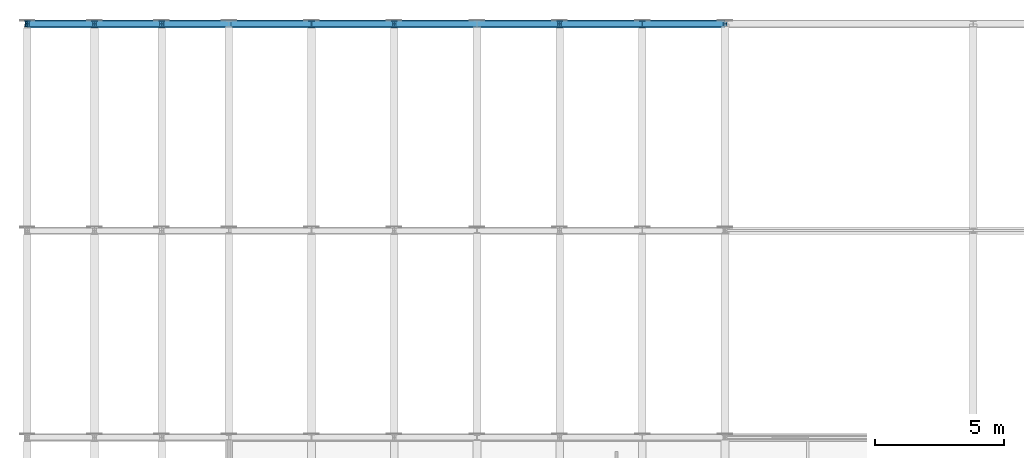
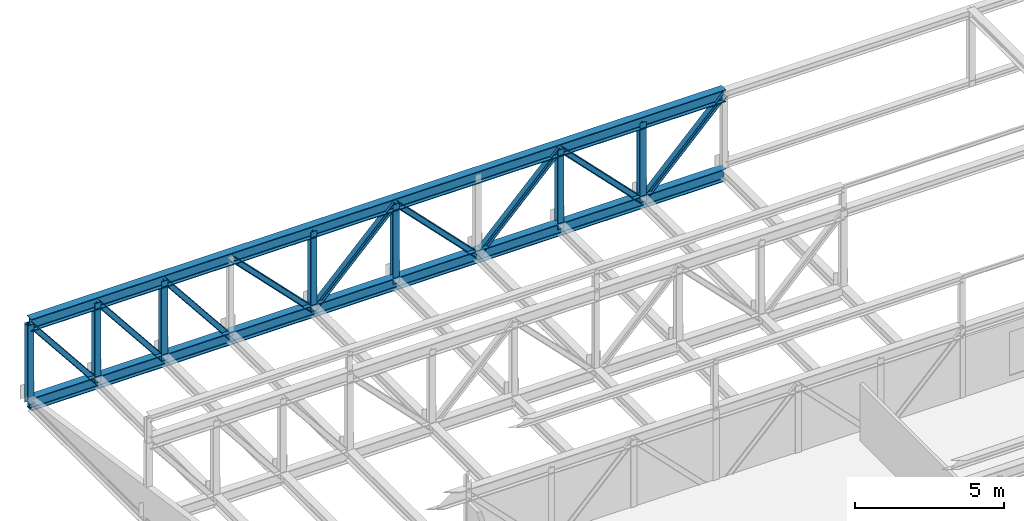
# One storey, part 23 of 34: 16 members, 2 beams.
"""IFC4 building model written with IfcOpenShell, lengths in metres."""

import ifcopenshell
import ifcopenshell.guid

model = None  # the IFC model being written
_history = None  # IfcOwnerHistory: only IFC2X3 demands one
_inside = {}  # id of a spatial element -> (the spatial element, [elements in it])
_under = {}  # id of a project, library or spatial element -> (it, [spatial elements below it])
_declared = {}  # id of a project -> (the project, [libraries it declares])
_typed = {}  # id of a type object -> (the type object, [elements of that type])
_made_of = {}  # id of a material, layer set ... -> (it, [elements and type objects made of it])


def new_model(schema):
    """Start an empty IFC model of exactly this schema.

    Asked for "IFC4X3", IfcOpenShell would pick the latest addendum, in which some entities
    have other attributes; the version numbers below select the first issue.
    IFC2X3 requires an IfcOwnerHistory on every rooted entity: one is made here for all.
    """
    global model, _history
    if schema == "IFC4X3":
        model = ifcopenshell.file(schema_version=(4, 3, 0, 0))
    else:
        model = ifcopenshell.file(schema=schema)
    _inside.clear()
    _under.clear()
    _declared.clear()
    _typed.clear()
    _made_of.clear()
    _history = None
    if model.schema == "IFC2X3":
        org = make("IfcOrganization", Name="unknown")
        user = make(
            "IfcPersonAndOrganization",
            ThePerson=make("IfcPerson", FamilyName="unknown"),
            TheOrganization=org,
        )
        app = make(
            "IfcApplication",
            ApplicationDeveloper=org,
            Version="unknown",
            ApplicationFullName="unknown",
            ApplicationIdentifier="unknown",
        )
        _history = make(
            "IfcOwnerHistory",
            OwningUser=user,
            OwningApplication=app,
            ChangeAction="ADDED",
            CreationDate=0,
        )
    return model


def make(cls, **values):
    """One entity of the class cls with the attributes given. An attribute that is None is left unset."""
    return model.create_entity(
        cls, **{name: value for name, value in values.items() if value is not None}
    )


def rooted(cls, **values):
    """An entity with a GlobalId (a new one), such as an element, a storey or a relation."""
    return make(cls, GlobalId=ifcopenshell.guid.new(), OwnerHistory=_history, **values)


def si_unit(unit_type, name, prefix=None):
    """IfcSIUnit, for example si_unit("LENGTHUNIT", "METRE", prefix="MILLI")."""
    return make("IfcSIUnit", UnitType=unit_type, Prefix=prefix, Name=name)


def assignment(units):
    """IfcUnitAssignment: the units of a project."""
    return None if units is None else make("IfcUnitAssignment", Units=units)


def point(xyz):
    """IfcCartesianPoint."""
    return None if xyz is None else make("IfcCartesianPoint", Coordinates=xyz)


def direction(xyz):
    """IfcDirection."""
    return None if xyz is None else make("IfcDirection", DirectionRatios=xyz)


def frame(location, z_axis=None, x_axis=None):
    """IfcAxis2Placement3D, a coordinate frame: its origin and axes. An axis left out is left unset."""
    return make(
        "IfcAxis2Placement3D",
        Location=point(location),
        Axis=direction(z_axis),
        RefDirection=direction(x_axis),
    )


def frame_2d(location, x_axis=None):
    """IfcAxis2Placement2D, a coordinate frame in the plane: its origin and x axis."""
    return make(
        "IfcAxis2Placement2D", Location=point(location), RefDirection=direction(x_axis)
    )


def origin():
    """The frame at (0, 0, 0) with its axes left unset."""
    return frame((0.0, 0.0, 0.0))


def origin_2d():
    """The frame at (0, 0) in the plane with its x axis left unset."""
    return frame_2d((0.0, 0.0))


def place(relative_to, where):
    """IfcLocalPlacement: puts the frame where relative to a parent placement (None: the world)."""
    return make(
        "IfcLocalPlacement", PlacementRelTo=relative_to, RelativePlacement=where
    )


def context(
    kind, dimensions, precision=None, world=None, true_north=None, identifier=None
):
    """IfcGeometricRepresentationContext, for example the 3D "Model" context."""
    return make(
        "IfcGeometricRepresentationContext",
        ContextIdentifier=identifier,
        ContextType=kind,
        CoordinateSpaceDimension=dimensions,
        Precision=precision,
        WorldCoordinateSystem=world,
        TrueNorth=true_north,
    )


def subcontext(parent, identifier, kind, view, scale=None):
    """IfcGeometricRepresentationSubContext, for example "Body" below "Model"."""
    return make(
        "IfcGeometricRepresentationSubContext",
        ContextIdentifier=identifier,
        ContextType=kind,
        ParentContext=parent,
        TargetScale=scale,
        TargetView=view,
    )


def project(units=None, contexts=None):
    """IfcProject with its units and contexts."""
    return rooted(
        "IfcProject",
        Name="project",
        RepresentationContexts=contexts,
        UnitsInContext=assignment(units),
    )


def spatial(cls, under=None, at=None, **own):
    """A site, building, storey or space (cls), placed at a placement, below another one or the project."""
    s = rooted(cls, ObjectPlacement=at, **own)
    if under is not None:
        _under.setdefault(under.id(), (under, []))[1].append(s)
    return s


def profile(cls, at=None, kind="AREA", **sizes):
    """A parametric profile (cls). Its sizes go by their IFC names, for example OverallWidth=200.0."""
    return make(cls, ProfileType=kind, Position=at, **sizes)


def i_section(**sizes):
    """IfcIShapeProfileDef."""
    return profile("IfcIShapeProfileDef", **sizes)


def extrude(swept, where, along, depth):
    """IfcExtrudedAreaSolid: the profile swept, set in the frame where, extruded along a direction by depth."""
    return make(
        "IfcExtrudedAreaSolid",
        SweptArea=swept,
        Position=where,
        ExtrudedDirection=direction(along),
        Depth=depth,
    )


def shape(context_of_items, identifier, shape_type, items):
    """IfcShapeRepresentation: the items that make up one representation, for example the "Body"."""
    return make(
        "IfcShapeRepresentation",
        ContextOfItems=context_of_items,
        RepresentationIdentifier=identifier,
        RepresentationType=shape_type,
        Items=items,
    )


def material(Name=None, Category=None):
    """IfcMaterial."""
    return make("IfcMaterial", Name=Name, Category=Category)


def material_profile(
    of_material, cross_section, Name=None, Category=None, Priority=None
):
    """IfcMaterialProfile: a cross section and its material."""
    return make(
        "IfcMaterialProfile",
        Name=Name,
        Material=of_material,
        Profile=cross_section,
        Priority=Priority,
        Category=Category,
    )


def profile_set(profiles, Name=None, composite=None):
    """IfcMaterialProfileSet."""
    return make(
        "IfcMaterialProfileSet",
        Name=Name,
        MaterialProfiles=profiles,
        CompositeProfile=composite,
    )


def made_of(thing, what):
    """Note that an element or type object is made of a material, layer set ...; save() writes the relation."""
    if what is not None:
        _made_of.setdefault(what.id(), (what, []))[1].append(thing)
    return thing


def type_object(cls, material=None, **own):
    """A type object (cls), such as IfcWallType, which elements share."""
    return made_of(rooted(cls, **own), material)


def element(
    cls,
    number,
    at=None,
    inside=None,
    cuts=None,
    type_object=None,
    material=None,
    context=None,
    identifier="Body",
    shape_type=None,
    held_by="IfcProductDefinitionShape",
    body=None,
    shapes=None,
    **own,
):
    """One element of the class cls, such as IfcWall. Its Tag is "e" and its number.

    at: its placement. inside: the storey or other place that contains it. cuts: it is an
    opening in that element (IfcRelVoidsElement). A single representation is given by context,
    identifier, shape_type and body (its items); several are given by shapes. held_by: the class
    of the entity that holds the representations. save() writes the other relations.
    """
    e = rooted(cls, Tag="e%d" % number, ObjectPlacement=at, **own)
    if body is not None:
        shapes = [shape(context, identifier, shape_type, body)]
    if shapes is not None:
        e.Representation = make(held_by, Representations=shapes)
    if inside is not None:
        _inside.setdefault(inside.id(), (inside, []))[1].append(e)
    if cuts is not None:
        rooted(
            "IfcRelVoidsElement", RelatingBuildingElement=cuts, RelatedOpeningElement=e
        )
    if type_object is not None:
        _typed.setdefault(type_object.id(), (type_object, []))[1].append(e)
    return made_of(e, material)


def aggregate(whole, parts):
    """IfcRelAggregates: a whole, such as a stair, and the parts it consists of."""
    return rooted("IfcRelAggregates", RelatingObject=whole, RelatedObjects=parts)


def save(model, path):
    """Write the relations noted so far, then the file.

    IfcRelAggregates (storeys below a building ...), IfcRelContainedInSpatialStructure (elements
    in a storey), IfcRelDefinesByType, IfcRelAssociatesMaterial and IfcRelDeclares: one each for
    every whole, place, type object, material and project.
    """
    for whole, parts in _under.values():
        aggregate(whole, parts)
    for where, things in _inside.values():
        rooted(
            "IfcRelContainedInSpatialStructure",
            RelatedElements=things,
            RelatingStructure=where,
        )
    for kind, things in _typed.values():
        rooted("IfcRelDefinesByType", RelatedObjects=things, RelatingType=kind)
    for what, things in _made_of.values():
        rooted("IfcRelAssociatesMaterial", RelatedObjects=things, RelatingMaterial=what)
    for by, libraries in _declared.values():
        rooted("IfcRelDeclares", RelatingContext=by, RelatedDefinitions=libraries)
    model.write(path)


model = new_model("IFC4")

# Units and contexts
model_context = context("Model", 3, precision=1e-05, world=origin(), true_north=direction((0.0, 1.0)))
body_context = subcontext(model_context, "Body", "Model", "MODEL_VIEW")
ifc_project = project(units=[si_unit("LENGTHUNIT", "METRE"), si_unit("AREAUNIT", "SQUARE_METRE"), si_unit("VOLUMEUNIT", "CUBIC_METRE"), si_unit("PLANEANGLEUNIT", "RADIAN"), si_unit("MASSUNIT", "GRAM", prefix="KILO")], contexts=[model_context])

# Site, building, storey
site_placement = place(None, origin())
site = spatial("IfcSite", under=ifc_project, at=site_placement, CompositionType="ELEMENT")
building_placement = place(site_placement, origin())
building = spatial("IfcBuilding", under=site, at=building_placement, Name="Alderhovde Museum", CompositionType="ELEMENT")
storey_placement = place(building_placement, frame((0.0, 0.0, 25.800048828125)))
storey = spatial("IfcBuildingStorey", under=building, at=storey_placement, Name="L05", CompositionType="ELEMENT", Elevation=25.800048828125)

# Beams
ifc_material_1 = material(Name="Steel S355J2", Category="steel")
ifc_material_profile_1 = material_profile(ifc_material_1, i_section(OverallWidth=0.300048828125, OverallDepth=0.5, WebThickness=0.014404296875, FlangeThickness=0.028076171875, FilletRadius=0.027099609375, at=origin_2d()), Name="HEB 500")
ifc_profile_set_1 = profile_set([ifc_material_profile_1], Name="Steel S355J2")
beam_type = type_object("IfcBeamType", Name="BM-HEB500", PredefinedType="BEAM", material=ifc_profile_set_1)
for number, where, z_axis, x_axis, name in (
    (1, (1.800048828125, 112.0, -0.510009765625), (1.0, 0.0, 0.0), (0.0, 1.0, 0.0), "Transfer Truss Y=112 FLR5 Continuous Chord"),
    (2, (1.800048828125, 112.0, 2.75), (1.0, 0.0, 0.0), (0.0, 1.0, 0.0), "Transfer Truss Y=112 TOP Continuous Chord"),
):
    element("IfcBeam", number, at=place(storey_placement, frame(where, z_axis=z_axis, x_axis=x_axis)), inside=storey, type_object=beam_type, Name=name, PredefinedType="BEAM", context=body_context, shape_type="SweptSolid", body=[
        extrude(i_section(OverallWidth=0.300048828125, OverallDepth=0.5, WebThickness=0.014404296875, FlangeThickness=0.028076171875, FilletRadius=0.027099609375, at=origin_2d()), origin(), (0.0, 0.0, 1.0), 27.0),
    ])

# Members
ifc_material_2 = material(Name="Steel S355J2", Category="steel")
ifc_material_profile_2 = material_profile(ifc_material_2, i_section(OverallWidth=0.219970703125, OverallDepth=0.2099609375, WebThickness=0.007080078125, FlangeThickness=0.010986328125, FilletRadius=0.01806640625, at=origin_2d()), Name="HEA 220")
ifc_profile_set_2 = profile_set([ifc_material_profile_2], Name="Steel S355J2")
member_type_1 = type_object("IfcMemberType", Name="TR-DG-HEA220", PredefinedType="RAFTER", material=ifc_profile_set_2)
member_1_placement = place(storey_placement, frame((1.800048828125, 112.0, 2.75), z_axis=(0.623501892836, 0.0, -0.781821840082), x_axis=(0.0, 1.0, 0.0)))
element("IfcMember", 3, at=member_1_placement, inside=storey, type_object=member_type_1, Name="Transfer Truss Y=112 T3 Diagonal 1", PredefinedType="RAFTER", context=body_context, shape_type="SweptSolid", body=[
    extrude(i_section(OverallWidth=0.219970703125, OverallDepth=0.2099609375, WebThickness=0.007080078125, FlangeThickness=0.010986328125, FilletRadius=0.01806640625, at=origin_2d()), origin(), (0.0, 0.0, 1.0), 4.169677734375),
])
for number, where, z_axis, x_axis, name in (
    (4, (4.39990234375, 112.0, 2.75), (0.623537679463, 0.0, -0.781793298955), (0.0, 1.0, 0.0), "Transfer Truss Y=112 T3 Diagonal 2"),
    (5, (7.0, 112.0, 2.75), (0.623537679463, 0.0, -0.781793298955), (0.0, 1.0, 0.0), "Transfer Truss Y=112 T3 Diagonal 3"),
):
    element("IfcMember", number, at=place(storey_placement, frame(where, z_axis=z_axis, x_axis=x_axis)), inside=storey, type_object=member_type_1, Name=name, PredefinedType="RAFTER", context=body_context, shape_type="SweptSolid", body=[
        extrude(i_section(OverallWidth=0.219970703125, OverallDepth=0.2099609375, WebThickness=0.007080078125, FlangeThickness=0.010986328125, FilletRadius=0.01806640625, at=origin_2d()), origin(), (0.0, 0.0, 1.0), 4.169921875),
    ])
for number, where, z_axis, x_axis, name in (
    (6, (9.60009765625, 112.0, 2.75), (0.700502499188, 0.0, -0.713649948246), (0.0, 1.0, 0.0), "Transfer Truss Y=112 T3 Diagonal 4"),
    (7, (12.800048828125, 112.0, -0.510009765625), (0.700502499188, 0.0, 0.713649948246), (0.0, 1.0, 0.0), "Transfer Truss Y=112 T3 Diagonal 5"),
    (8, (16.0, 112.0, 2.75), (0.700502499188, 0.0, -0.713649948246), (0.0, 1.0, 0.0), "Transfer Truss Y=112 T3 Diagonal 6"),
    (9, (19.199951171875, 112.0, -0.510009765625), (0.700502499188, 0.0, 0.713649948246), (0.0, 1.0, 0.0), "Transfer Truss Y=112 T3 Diagonal 7"),
):
    element("IfcMember", number, at=place(storey_placement, frame(where, z_axis=z_axis, x_axis=x_axis)), inside=storey, type_object=member_type_1, Name=name, PredefinedType="RAFTER", context=body_context, shape_type="SweptSolid", body=[
        extrude(i_section(OverallWidth=0.219970703125, OverallDepth=0.2099609375, WebThickness=0.007080078125, FlangeThickness=0.010986328125, FilletRadius=0.01806640625, at=origin_2d()), origin(), (0.0, 0.0, 1.0), 4.568115234375),
    ])
member_2_placement = place(storey_placement, frame((22.39990234375, 112.0, 2.75), z_axis=(0.700529716954, 0.0, -0.713623230889), x_axis=(0.0, 1.0, 0.0)))
element("IfcMember", 10, at=member_2_placement, inside=storey, type_object=member_type_1, Name="Transfer Truss Y=112 T3 Diagonal 8", PredefinedType="RAFTER", context=body_context, shape_type="SweptSolid", body=[
    extrude(i_section(OverallWidth=0.219970703125, OverallDepth=0.2099609375, WebThickness=0.007080078125, FlangeThickness=0.010986328125, FilletRadius=0.01806640625, at=origin_2d()), origin(), (0.0, 0.0, 1.0), 4.568359375),
])
member_3_placement = place(storey_placement, frame((25.60009765625, 112.0, -0.510009765625), z_axis=(0.700502499188, 0.0, 0.713649948246), x_axis=(0.0, 1.0, 0.0)))
element("IfcMember", 11, at=member_3_placement, inside=storey, type_object=member_type_1, Name="Transfer Truss Y=112 T3 Diagonal 9", PredefinedType="RAFTER", context=body_context, shape_type="SweptSolid", body=[
    extrude(i_section(OverallWidth=0.219970703125, OverallDepth=0.2099609375, WebThickness=0.007080078125, FlangeThickness=0.010986328125, FilletRadius=0.01806640625, at=origin_2d()), origin(), (0.0, 0.0, 1.0), 4.568115234375),
])
ifc_material_3 = material(Name="Steel S355J2", Category="steel")
ifc_material_profile_3 = material_profile(ifc_material_3, i_section(OverallWidth=0.239990234375, OverallDepth=0.22998046875, WebThickness=0.007568359375, FlangeThickness=0.011962890625, FilletRadius=0.02099609375, at=origin_2d()), Name="HEA 240")
ifc_profile_set_3 = profile_set([ifc_material_profile_3], Name="Steel S355J2")
member_type_2 = type_object("IfcMemberType", Name="TR-PS-HEA240", PredefinedType="POST", material=ifc_profile_set_3)
for number, where, z_axis, x_axis, name in (
    (12, (1.800048828125, 112.0, -0.510009765625), (0.0, 0.0, 1.0), (1.0, 0.0, 0.0), "Transfer Truss Y=112 T3 Post 1"),
    (13, (4.39990234375, 112.0, -0.510009765625), (0.0, 0.0, 1.0), (1.0, 0.0, 0.0), "Transfer Truss Y=112 T3 Post 2"),
    (14, (7.0, 112.0, -0.510009765625), (0.0, 0.0, 1.0), (1.0, 0.0, 0.0), "Transfer Truss Y=112 T3 Post 3"),
    (15, (12.800048828125, 112.0, -0.510009765625), (0.0, 0.0, 1.0), (1.0, 0.0, 0.0), "Transfer Truss Y=112 T3 Post 5"),
    (16, (16.0, 112.0, -0.510009765625), (0.0, 0.0, 1.0), (1.0, 0.0, 0.0), "Transfer Truss Y=112 T3 Post 6"),
    (17, (22.39990234375, 112.0, -0.510009765625), (0.0, 0.0, 1.0), (1.0, 0.0, 0.0), "Transfer Truss Y=112 T3 Post 8"),
    (18, (25.60009765625, 112.0, -0.510009765625), (0.0, 0.0, 1.0), (1.0, 0.0, 0.0), "Transfer Truss Y=112 T3 Post 9"),
):
    element("IfcMember", number, at=place(storey_placement, frame(where, z_axis=z_axis, x_axis=x_axis)), inside=storey, type_object=member_type_2, Name=name, PredefinedType="POST", context=body_context, shape_type="SweptSolid", body=[
        extrude(i_section(OverallWidth=0.239990234375, OverallDepth=0.22998046875, WebThickness=0.007568359375, FlangeThickness=0.011962890625, FilletRadius=0.02099609375, at=origin_2d()), origin(), (0.0, 0.0, 1.0), 3.260009765625),
    ])

save(model, "model.ifc")
